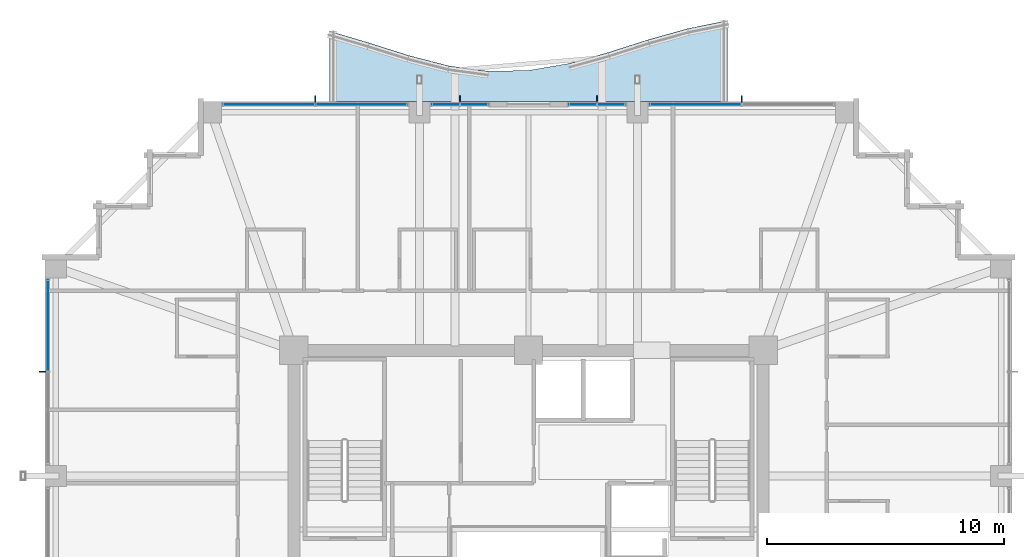
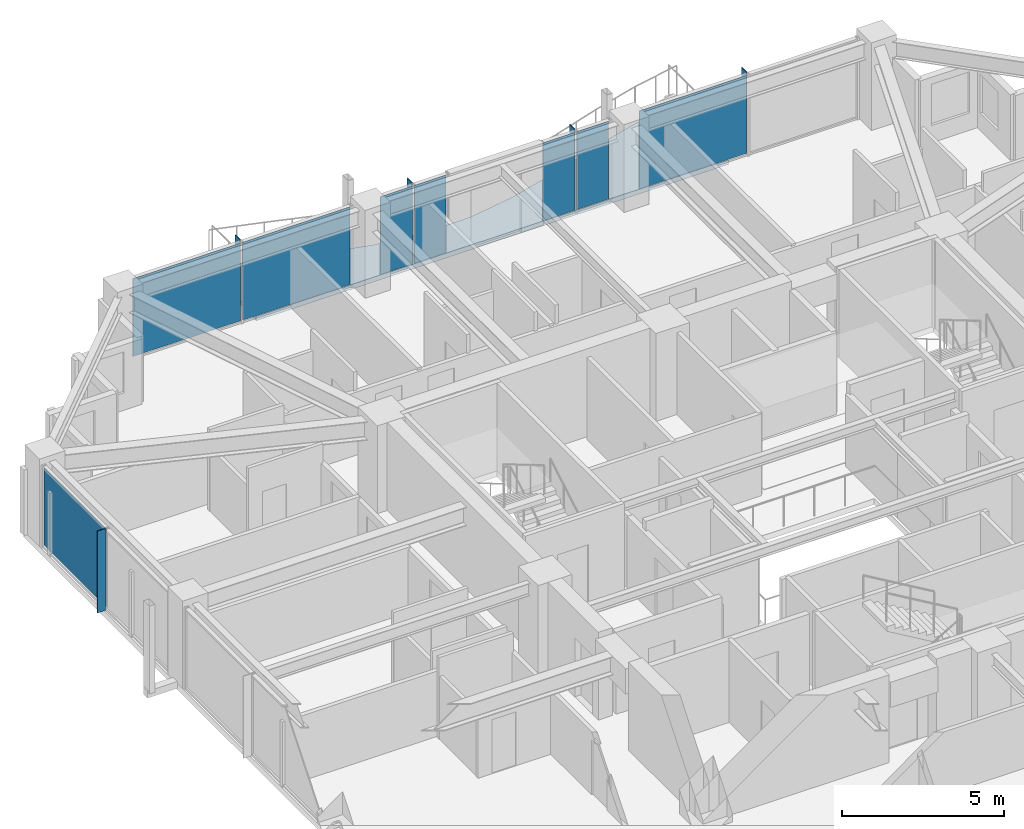
# One storey, part 29 of 37: 13 plates, 1 slab, 5 elements without a shape of their own.
"""IFC4 building model written with IfcOpenShell, lengths in metres."""

import ifcopenshell
import ifcopenshell.guid

model = None  # the IFC model being written
_history = None  # IfcOwnerHistory: only IFC2X3 demands one
_inside = {}  # id of a spatial element -> (the spatial element, [elements in it])
_under = {}  # id of a project, library or spatial element -> (it, [spatial elements below it])
_declared = {}  # id of a project -> (the project, [libraries it declares])
_typed = {}  # id of a type object -> (the type object, [elements of that type])
_made_of = {}  # id of a material, layer set ... -> (it, [elements and type objects made of it])


def new_model(schema):
    """Start an empty IFC model of exactly this schema.

    Asked for "IFC4X3", IfcOpenShell would pick the latest addendum, in which some entities
    have other attributes; the version numbers below select the first issue.
    IFC2X3 requires an IfcOwnerHistory on every rooted entity: one is made here for all.
    """
    global model, _history
    if schema == "IFC4X3":
        model = ifcopenshell.file(schema_version=(4, 3, 0, 0))
    else:
        model = ifcopenshell.file(schema=schema)
    _inside.clear()
    _under.clear()
    _declared.clear()
    _typed.clear()
    _made_of.clear()
    _history = None
    if model.schema == "IFC2X3":
        org = make("IfcOrganization", Name="unknown")
        user = make(
            "IfcPersonAndOrganization",
            ThePerson=make("IfcPerson", FamilyName="unknown"),
            TheOrganization=org,
        )
        app = make(
            "IfcApplication",
            ApplicationDeveloper=org,
            Version="unknown",
            ApplicationFullName="unknown",
            ApplicationIdentifier="unknown",
        )
        _history = make(
            "IfcOwnerHistory",
            OwningUser=user,
            OwningApplication=app,
            ChangeAction="ADDED",
            CreationDate=0,
        )
    return model


def make(cls, **values):
    """One entity of the class cls with the attributes given. An attribute that is None is left unset."""
    return model.create_entity(
        cls, **{name: value for name, value in values.items() if value is not None}
    )


def rooted(cls, **values):
    """An entity with a GlobalId (a new one), such as an element, a storey or a relation."""
    return make(cls, GlobalId=ifcopenshell.guid.new(), OwnerHistory=_history, **values)


def si_unit(unit_type, name, prefix=None):
    """IfcSIUnit, for example si_unit("LENGTHUNIT", "METRE", prefix="MILLI")."""
    return make("IfcSIUnit", UnitType=unit_type, Prefix=prefix, Name=name)


def assignment(units):
    """IfcUnitAssignment: the units of a project."""
    return None if units is None else make("IfcUnitAssignment", Units=units)


def point(xyz):
    """IfcCartesianPoint."""
    return None if xyz is None else make("IfcCartesianPoint", Coordinates=xyz)


def direction(xyz):
    """IfcDirection."""
    return None if xyz is None else make("IfcDirection", DirectionRatios=xyz)


def frame(location, z_axis=None, x_axis=None):
    """IfcAxis2Placement3D, a coordinate frame: its origin and axes. An axis left out is left unset."""
    return make(
        "IfcAxis2Placement3D",
        Location=point(location),
        Axis=direction(z_axis),
        RefDirection=direction(x_axis),
    )


def frame_2d(location, x_axis=None):
    """IfcAxis2Placement2D, a coordinate frame in the plane: its origin and x axis."""
    return make(
        "IfcAxis2Placement2D", Location=point(location), RefDirection=direction(x_axis)
    )


def origin():
    """The frame at (0, 0, 0) with its axes left unset."""
    return frame((0.0, 0.0, 0.0))


def origin_2d():
    """The frame at (0, 0) in the plane with its x axis left unset."""
    return frame_2d((0.0, 0.0))


def place(relative_to, where):
    """IfcLocalPlacement: puts the frame where relative to a parent placement (None: the world)."""
    return make(
        "IfcLocalPlacement", PlacementRelTo=relative_to, RelativePlacement=where
    )


def context(
    kind, dimensions, precision=None, world=None, true_north=None, identifier=None
):
    """IfcGeometricRepresentationContext, for example the 3D "Model" context."""
    return make(
        "IfcGeometricRepresentationContext",
        ContextIdentifier=identifier,
        ContextType=kind,
        CoordinateSpaceDimension=dimensions,
        Precision=precision,
        WorldCoordinateSystem=world,
        TrueNorth=true_north,
    )


def subcontext(parent, identifier, kind, view, scale=None):
    """IfcGeometricRepresentationSubContext, for example "Body" below "Model"."""
    return make(
        "IfcGeometricRepresentationSubContext",
        ContextIdentifier=identifier,
        ContextType=kind,
        ParentContext=parent,
        TargetScale=scale,
        TargetView=view,
    )


def project(units=None, contexts=None):
    """IfcProject with its units and contexts."""
    return rooted(
        "IfcProject",
        Name="project",
        RepresentationContexts=contexts,
        UnitsInContext=assignment(units),
    )


def spatial(cls, under=None, at=None, **own):
    """A site, building, storey or space (cls), placed at a placement, below another one or the project."""
    s = rooted(cls, ObjectPlacement=at, **own)
    if under is not None:
        _under.setdefault(under.id(), (under, []))[1].append(s)
    return s


def polyline(points):
    """IfcPolyline through the points."""
    return make("IfcPolyline", Points=[point(p) for p in points])


def profile(cls, at=None, kind="AREA", **sizes):
    """A parametric profile (cls). Its sizes go by their IFC names, for example OverallWidth=200.0."""
    return make(cls, ProfileType=kind, Position=at, **sizes)


def rectangle(**sizes):
    """IfcRectangleProfileDef."""
    return profile("IfcRectangleProfileDef", **sizes)


def outline(outer, holes=None, kind="AREA"):
    """IfcArbitraryClosedProfileDef: a profile drawn as a closed curve; with holes, ...WithVoids."""
    if holes is None:
        return make("IfcArbitraryClosedProfileDef", ProfileType=kind, OuterCurve=outer)
    return make(
        "IfcArbitraryProfileDefWithVoids",
        ProfileType=kind,
        OuterCurve=outer,
        InnerCurves=holes,
    )


def extrude(swept, where, along, depth):
    """IfcExtrudedAreaSolid: the profile swept, set in the frame where, extruded along a direction by depth."""
    return make(
        "IfcExtrudedAreaSolid",
        SweptArea=swept,
        Position=where,
        ExtrudedDirection=direction(along),
        Depth=depth,
    )


def shape(context_of_items, identifier, shape_type, items):
    """IfcShapeRepresentation: the items that make up one representation, for example the "Body"."""
    return make(
        "IfcShapeRepresentation",
        ContextOfItems=context_of_items,
        RepresentationIdentifier=identifier,
        RepresentationType=shape_type,
        Items=items,
    )


def material(Name=None, Category=None):
    """IfcMaterial."""
    return make("IfcMaterial", Name=Name, Category=Category)


def layer(
    of_material, thickness, ventilated=None, Name=None, Category=None, Priority=None
):
    """IfcMaterialLayer: one layer of a wall or slab, of a material (None: an air gap)."""
    return make(
        "IfcMaterialLayer",
        Material=of_material,
        LayerThickness=thickness,
        IsVentilated=ventilated,
        Name=Name,
        Category=Category,
        Priority=Priority,
    )


def layer_set(layers, Name=None):
    """IfcMaterialLayerSet."""
    return make("IfcMaterialLayerSet", MaterialLayers=layers, LayerSetName=Name)


def made_of(thing, what):
    """Note that an element or type object is made of a material, layer set ...; save() writes the relation."""
    if what is not None:
        _made_of.setdefault(what.id(), (what, []))[1].append(thing)
    return thing


def type_object(cls, material=None, **own):
    """A type object (cls), such as IfcWallType, which elements share."""
    return made_of(rooted(cls, **own), material)


def element(
    cls,
    number,
    at=None,
    inside=None,
    cuts=None,
    type_object=None,
    material=None,
    context=None,
    identifier="Body",
    shape_type=None,
    held_by="IfcProductDefinitionShape",
    body=None,
    shapes=None,
    **own,
):
    """One element of the class cls, such as IfcWall. Its Tag is "e" and its number.

    at: its placement. inside: the storey or other place that contains it. cuts: it is an
    opening in that element (IfcRelVoidsElement). A single representation is given by context,
    identifier, shape_type and body (its items); several are given by shapes. held_by: the class
    of the entity that holds the representations. save() writes the other relations.
    """
    e = rooted(cls, Tag="e%d" % number, ObjectPlacement=at, **own)
    if body is not None:
        shapes = [shape(context, identifier, shape_type, body)]
    if shapes is not None:
        e.Representation = make(held_by, Representations=shapes)
    if inside is not None:
        _inside.setdefault(inside.id(), (inside, []))[1].append(e)
    if cuts is not None:
        rooted(
            "IfcRelVoidsElement", RelatingBuildingElement=cuts, RelatedOpeningElement=e
        )
    if type_object is not None:
        _typed.setdefault(type_object.id(), (type_object, []))[1].append(e)
    return made_of(e, material)


def aggregate(whole, parts):
    """IfcRelAggregates: a whole, such as a stair, and the parts it consists of."""
    return rooted("IfcRelAggregates", RelatingObject=whole, RelatedObjects=parts)


def save(model, path):
    """Write the relations noted so far, then the file.

    IfcRelAggregates (storeys below a building ...), IfcRelContainedInSpatialStructure (elements
    in a storey), IfcRelDefinesByType, IfcRelAssociatesMaterial and IfcRelDeclares: one each for
    every whole, place, type object, material and project.
    """
    for whole, parts in _under.values():
        aggregate(whole, parts)
    for where, things in _inside.values():
        rooted(
            "IfcRelContainedInSpatialStructure",
            RelatedElements=things,
            RelatingStructure=where,
        )
    for kind, things in _typed.values():
        rooted("IfcRelDefinesByType", RelatedObjects=things, RelatingType=kind)
    for what, things in _made_of.values():
        rooted("IfcRelAssociatesMaterial", RelatedObjects=things, RelatingMaterial=what)
    for by, libraries in _declared.values():
        rooted("IfcRelDeclares", RelatingContext=by, RelatedDefinitions=libraries)
    model.write(path)


model = new_model("IFC4")

# Units and contexts
model_context = context("Model", 3, precision=1e-05, world=origin(), true_north=direction((0.0, 1.0)))
body_context = subcontext(model_context, "Body", "Model", "MODEL_VIEW")
ifc_project = project(units=[si_unit("LENGTHUNIT", "METRE"), si_unit("AREAUNIT", "SQUARE_METRE"), si_unit("VOLUMEUNIT", "CUBIC_METRE"), si_unit("PLANEANGLEUNIT", "RADIAN"), si_unit("MASSUNIT", "GRAM", prefix="KILO")], contexts=[model_context])

# Site, building, storey
site_placement = place(None, origin())
site = spatial("IfcSite", under=ifc_project, at=site_placement, CompositionType="ELEMENT")
building_placement = place(site_placement, origin())
building = spatial("IfcBuilding", under=site, at=building_placement, Name="Kolvaren Belvedere", CompositionType="ELEMENT")
storey_placement = place(building_placement, frame((0.0, 0.0, 180.0)))
storey = spatial("IfcBuildingStorey", under=building, at=storey_placement, Name="L52", CompositionType="ELEMENT", Elevation=180.0)

# Curtain wall, plates
ifc_material_1 = material(Name="Anodised pale-metal aluminium AA 6063-T6", Category="aluminium")
curtain_wall_type = type_object("IfcCurtainWallType", Name="CW-Z5-HIGH", PredefinedType="NOTDEFINED", material=ifc_material_1)
curtain_wall_1_placement = place(storey_placement, origin())
curtain_wall_1 = element("IfcCurtainWall", 1, at=curtain_wall_1_placement, inside=storey, type_object=curtain_wall_type, Name="L52 Unitised Curtain Wall FCW-L52-N1-B1", PredefinedType="NOTDEFINED")
ifc_material_2 = material(Name="Low-iron triple insulated glass", Category="glass")
ifc_layer_1 = layer(ifc_material_2, 0.028076171875)
ifc_layer_set_1 = layer_set([ifc_layer_1], Name="Low-iron triple insulated glass")
plate_type_1 = type_object("IfcPlateType", Name="CW-PNL-VIS28", PredefinedType="CURTAIN_PANEL", material=ifc_layer_set_1)
plate_1_placement = place(storey_placement, frame((-10.947509765625, 20.280029296875, 0.080078125), z_axis=(0.0, 0.0, 1.0), x_axis=(1.0, 0.0, 0.0)))
plate_1 = element("IfcPlate", 2, at=plate_1_placement, type_object=plate_type_1, Name="FCW-L52-N1-B1 Vision Glazing Panel 1", PredefinedType="CURTAIN_PANEL", context=body_context, shape_type="SweptSolid", body=[
    extrude(rectangle(XDim=3.81494140625, YDim=0.028076171875, at=origin_2d()), origin(), (0.0, 0.0, 1.0), 2.919921875),
])
plate_2_placement = place(storey_placement, frame((-7.052490234375, 20.280029296875, 0.080078125), z_axis=(0.0, 0.0, 1.0), x_axis=(1.0, 0.0, 0.0)))
plate_2 = element("IfcPlate", 3, at=plate_2_placement, type_object=plate_type_1, Name="FCW-L52-N1-B1 Vision Glazing Panel 2", PredefinedType="CURTAIN_PANEL", context=body_context, shape_type="SweptSolid", body=[
    extrude(rectangle(XDim=3.81494140625, YDim=0.028076171875, at=origin_2d()), origin(), (0.0, 0.0, 1.0), 2.919921875),
])
aggregate(curtain_wall_1, [plate_1, plate_2])

curtain_wall_2_placement = place(storey_placement, origin())
curtain_wall_2 = element("IfcCurtainWall", 4, at=curtain_wall_2_placement, inside=storey, type_object=curtain_wall_type, Name="L52 Unitised Curtain Wall FCW-L52-N1-B2", PredefinedType="NOTDEFINED")
plate_3_placement = place(storey_placement, frame((-3.4912109375, 20.280029296875, 0.080078125), z_axis=(0.0, 0.0, 1.0), x_axis=(1.0, 0.0, 0.0)))
plate_3 = element("IfcPlate", 5, at=plate_3_placement, type_object=plate_type_1, Name="FCW-L52-N1-B2 Vision Glazing Panel 1", PredefinedType="CURTAIN_PANEL", context=body_context, shape_type="SweptSolid", body=[
    extrude(rectangle(XDim=1.12744140625, YDim=0.028076171875, at=origin_2d()), origin(), (0.0, 0.0, 1.0), 2.919921875),
])
plate_4_placement = place(storey_placement, frame((-2.28369140625, 20.280029296875, 0.080078125), z_axis=(0.0, 0.0, 1.0), x_axis=(1.0, 0.0, 0.0)))
plate_4 = element("IfcPlate", 6, at=plate_4_placement, type_object=plate_type_1, Name="FCW-L52-N1-B2 Vision Glazing Panel 2", PredefinedType="CURTAIN_PANEL", context=body_context, shape_type="SweptSolid", body=[
    extrude(rectangle(XDim=1.12744140625, YDim=0.028076171875, at=origin_2d()), origin(), (0.0, 0.0, 1.0), 2.919921875),
])
aggregate(curtain_wall_2, [plate_3, plate_4])

curtain_wall_3_placement = place(storey_placement, origin())
curtain_wall_3 = element("IfcCurtainWall", 7, at=curtain_wall_3_placement, inside=storey, type_object=curtain_wall_type, Name="L52 Unitised Curtain Wall FCW-L52-N2-B1", PredefinedType="NOTDEFINED")
plate_5_placement = place(storey_placement, frame((2.28369140625, 20.280029296875, 0.080078125), z_axis=(0.0, 0.0, 1.0), x_axis=(1.0, 0.0, 0.0)))
plate_5 = element("IfcPlate", 8, at=plate_5_placement, type_object=plate_type_1, Name="FCW-L52-N2-B1 Vision Glazing Panel 1", PredefinedType="CURTAIN_PANEL", context=body_context, shape_type="SweptSolid", body=[
    extrude(rectangle(XDim=1.12744140625, YDim=0.028076171875, at=origin_2d()), origin(), (0.0, 0.0, 1.0), 2.919921875),
])
plate_6_placement = place(storey_placement, frame((3.4912109375, 20.280029296875, 0.080078125), z_axis=(0.0, 0.0, 1.0), x_axis=(1.0, 0.0, 0.0)))
plate_6 = element("IfcPlate", 9, at=plate_6_placement, type_object=plate_type_1, Name="FCW-L52-N2-B1 Vision Glazing Panel 2", PredefinedType="CURTAIN_PANEL", context=body_context, shape_type="SweptSolid", body=[
    extrude(rectangle(XDim=1.12744140625, YDim=0.028076171875, at=origin_2d()), origin(), (0.0, 0.0, 1.0), 2.919921875),
])
aggregate(curtain_wall_3, [plate_5, plate_6])

# Curtain wall, plate
curtain_wall_4_placement = place(storey_placement, origin())
curtain_wall_4 = element("IfcCurtainWall", 10, at=curtain_wall_4_placement, inside=storey, type_object=curtain_wall_type, Name="L52 Unitised Curtain Wall FCW-L52-N2-B2", PredefinedType="NOTDEFINED")
plate_7_placement = place(storey_placement, frame((7.052490234375, 20.280029296875, 0.080078125), z_axis=(0.0, 0.0, 1.0), x_axis=(1.0, 0.0, 0.0)))
plate_7 = element("IfcPlate", 11, at=plate_7_placement, type_object=plate_type_1, Name="FCW-L52-N2-B2 Vision Glazing Panel 1", PredefinedType="CURTAIN_PANEL", context=body_context, shape_type="SweptSolid", body=[
    extrude(rectangle(XDim=3.81494140625, YDim=0.028076171875, at=origin_2d()), origin(), (0.0, 0.0, 1.0), 2.919921875),
])
aggregate(curtain_wall_4, [plate_7])

curtain_wall_5_placement = place(storey_placement, origin())
curtain_wall_5 = element("IfcCurtainWall", 12, at=curtain_wall_5_placement, inside=storey, type_object=curtain_wall_type, Name="L52 Unitised Curtain Wall FCW-L52-W-B3", PredefinedType="NOTDEFINED")
plate_8_placement = place(storey_placement, frame((-20.280029296875, 10.947509765625, 0.080078125), z_axis=(0.0, 0.0, 1.0), x_axis=(0.0, 1.0, 0.0)))
plate_8 = element("IfcPlate", 13, at=plate_8_placement, type_object=plate_type_1, Name="FCW-L52-W-B3 Vision Glazing Panel 2", PredefinedType="CURTAIN_PANEL", context=body_context, shape_type="SweptSolid", body=[
    extrude(rectangle(XDim=3.81494140625, YDim=0.028076171875, at=origin_2d()), origin(), (0.0, 0.0, 1.0), 2.919921875),
])
aggregate(curtain_wall_5, [plate_8])

# Plates
ifc_material_3 = material(Name="Anodised pale-metal aluminium AA 6063-T6", Category="aluminium")
ifc_layer_2 = layer(ifc_material_3, 0.030029296875)
ifc_layer_set_2 = layer_set([ifc_layer_2], Name="Anodised pale-metal aluminium AA 6063-T6")
plate_type_2 = type_object("IfcPlateType", Name="FIN-VERT-300", PredefinedType="USERDEFINED", material=ifc_layer_set_2)
for number, where, z_axis, x_axis, name in (
    (14, (-9.0, 20.489990234375, 0.0), (0.0, 0.0, 1.0), (0.0, 1.0, 0.0), "L52 Pale-Metal Vertical Shading Fin FCW-L52-N1-B1-1"),
    (15, (-2.887451171875, 20.489990234375, 0.0), (0.0, 0.0, 1.0), (0.0, 1.0, 0.0), "L52 Pale-Metal Vertical Shading Fin FCW-L52-N1-B2-1"),
    (16, (2.887451171875, 20.489990234375, 0.0), (0.0, 0.0, 1.0), (0.0, 1.0, 0.0), "L52 Pale-Metal Vertical Shading Fin FCW-L52-N2-B1-1"),
    (17, (9.0, 20.489990234375, 0.0), (0.0, 0.0, 1.0), (0.0, 1.0, 0.0), "L52 Pale-Metal Vertical Shading Fin FCW-L52-N2-B2-1"),
    (18, (-20.489990234375, 9.0, 0.0), (0.0, 0.0, 1.0), (1.0, 0.0, 0.0), "L52 Pale-Metal Vertical Shading Fin FCW-L52-W-B3-1"),
):
    element("IfcPlate", number, at=place(storey_placement, frame(where, z_axis=z_axis, x_axis=x_axis)), inside=storey, type_object=plate_type_2, Name=name, ObjectType="VERTICAL FIN", PredefinedType="USERDEFINED", context=body_context, shape_type="SweptSolid", body=[
        extrude(rectangle(XDim=0.300048828125, YDim=0.030029296875, at=origin_2d()), origin(), (0.0, 0.0, 1.0), 3.080078125),
    ])

# Slab
ifc_material_4 = material(Name="Concrete C50/60", Category="concrete")
ifc_layer_3 = layer(ifc_material_4, 0.179931640625)
ifc_layer_set_3 = layer_set([ifc_layer_3], Name="Concrete C50/60")
slab_type = type_object("IfcSlabType", Name="SL-BAL-180", PredefinedType="FLOOR", material=ifc_layer_set_3)
slab_placement = place(storey_placement, frame((0.0, 0.0, -0.219970703125)))
element("IfcSlab", 19, at=slab_placement, inside=storey, type_object=slab_type, Name="L52 Planted Balcony BAL-N", PredefinedType="FLOOR", context=body_context, shape_type="SweptSolid", body=[
    extrude(outline(polyline([(-8.39990234375, 20.39990234375), (-6.719970703125, 20.39990234375), (-5.0400390625, 20.39990234375), (-3.360107421875, 20.39990234375), (-1.679931640625, 20.39990234375), (0.0, 20.39990234375), (1.679931640625, 20.39990234375), (3.360107421875, 20.39990234375), (5.0400390625, 20.39990234375), (6.719970703125, 20.39990234375), (8.39990234375, 20.39990234375), (8.39990234375, 23.820068359375), (6.719970703125, 23.479248046875), (5.0400390625, 23.008544921875), (3.360107421875, 22.471435546875), (1.679931640625, 22.000732421875), (0.0, 21.712890625), (-1.679931640625, 21.67919921875), (-3.360107421875, 21.90771484375), (-5.0400390625, 22.34228515625), (-6.719970703125, 22.87548828125), (-8.39990234375, 23.374755859375), (-8.39990234375, 20.39990234375)])), origin(), (0.0, 0.0, 1.0), 0.179931640625),
])

save(model, "model.ifc")
